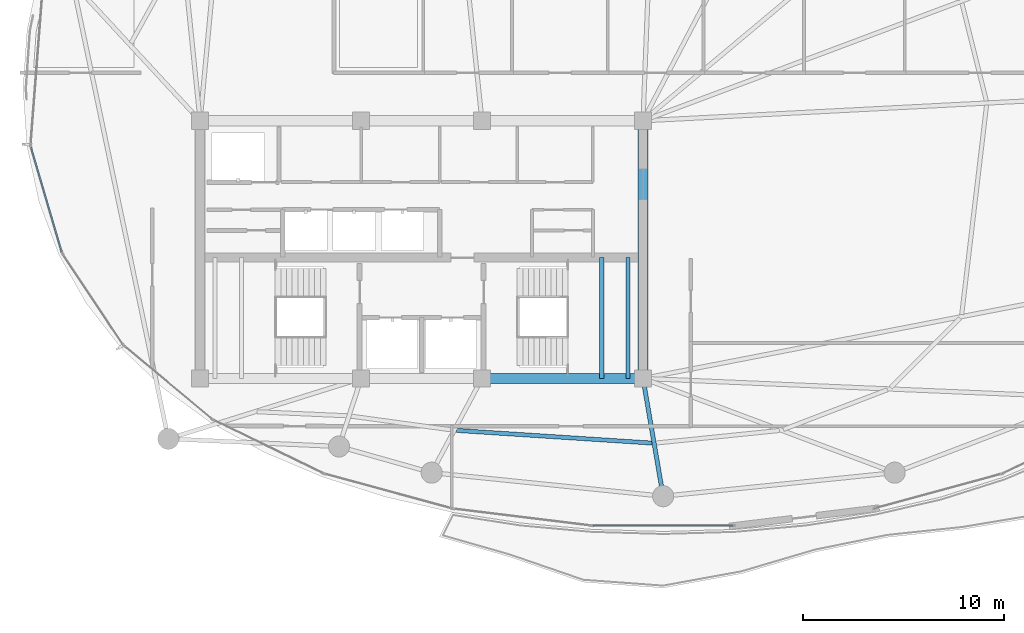
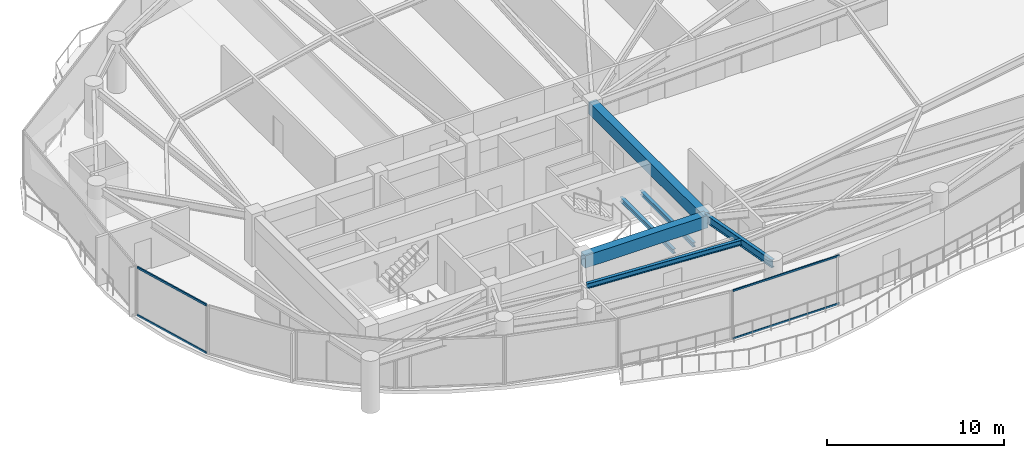
# One storey, part 7 of 30: 6 beams, 4 members, 2 elements without a shape of their own.
"""IFC4 building model written with IfcOpenShell, lengths in metres."""

from ifc_helpers import new_model, si_unit, direction, frame, origin, origin_2d, place, context, subcontext, project, spatial, rectangle, hollow_rectangle, i_section, extrude, material, layer, layer_set, material_profile, profile_set, type_object, element, aggregate, save


model = new_model("IFC4")

# Units and contexts
model_context = context("Model", 3, precision=1e-05, world=origin(), true_north=direction((0.0, 1.0)))
body_context = subcontext(model_context, "Body", "Model", "MODEL_VIEW")
ifc_project = project(units=[si_unit("LENGTHUNIT", "METRE"), si_unit("AREAUNIT", "SQUARE_METRE"), si_unit("VOLUMEUNIT", "CUBIC_METRE"), si_unit("PLANEANGLEUNIT", "RADIAN"), si_unit("MASSUNIT", "GRAM", prefix="KILO")], contexts=[model_context])

# Site, building, storey
site_placement = place(None, origin())
site = spatial("IfcSite", under=ifc_project, at=site_placement, CompositionType="ELEMENT")
building_placement = place(site_placement, origin())
building = spatial("IfcBuilding", under=site, at=building_placement, Name="Kazevale Care Tower and Concert Hall", CompositionType="ELEMENT")
storey_placement = place(building_placement, frame((0.0, 0.0, 242.39990234375)))
storey = spatial("IfcBuildingStorey", under=building, at=storey_placement, Name="L64", CompositionType="ELEMENT", Elevation=242.39990234375)

# Curtain wall, members
ifc_material_1 = material(Name="Aluminium 6063-T6 and Low-E Glass", Category="aluminium")
ifc_layer_1 = layer(ifc_material_1, 0.179931640625)
ifc_layer_set_1 = layer_set([ifc_layer_1], Name="Aluminium 6063-T6 and Low-E Glass")
curtain_wall_type_1 = type_object("IfcCurtainWallType", Name="Waist & Upper Residential Curtain Wall CW-4", PredefinedType="NOTDEFINED", material=ifc_layer_set_1)
curtain_wall_1_placement = place(storey_placement, origin())
curtain_wall_1 = element("IfcCurtainWall", 1, at=curtain_wall_1_placement, inside=storey, type_object=curtain_wall_type_1, Name="cw:L64:f12", PredefinedType="NOTDEFINED")
ifc_material_2 = material(Name="Aluminium 6063-T6", Category="aluminium")
ifc_material_profile_1 = material_profile(ifc_material_2, hollow_rectangle(XDim=0.080078125, YDim=0.139892578125, WallThickness=0.00390625, at=origin_2d()), Name="ALU80x140x4")
ifc_profile_set_1 = profile_set([ifc_material_profile_1], Name="Aluminium 6063-T6")
member_type_1 = type_object("IfcMemberType", Name="CW-4 Transom ALU80x140x4", PredefinedType="USERDEFINED", material=ifc_profile_set_1)
member_1_placement = place(storey_placement, frame((15.12548828125, 29.897705078125, 0.0400390625), z_axis=(-0.282102705943, 0.95938421047, 0.0), x_axis=(-0.95938421047, -0.282102705943, 0.0)))
member_1 = element("IfcMember", 2, at=member_1_placement, type_object=member_type_1, Name="CW-4 transom 1.1", ObjectType="TRANSOM", PredefinedType="USERDEFINED", context=body_context, shape_type="SweptSolid", body=[
    extrude(hollow_rectangle(XDim=0.080078125, YDim=0.139892578125, WallThickness=0.00390625, at=origin_2d()), origin(), (0.0, 0.0, 1.0), 5.402099609375),
])
member_2_placement = place(storey_placement, frame((15.12548828125, 29.897705078125, 3.320068359375), z_axis=(-0.282102705943, 0.95938421047, 0.0), x_axis=(-0.95938421047, -0.282102705943, 0.0)))
member_2 = element("IfcMember", 3, at=member_2_placement, type_object=member_type_1, Name="CW-4 transom 1.2", ObjectType="TRANSOM", PredefinedType="USERDEFINED", context=body_context, shape_type="SweptSolid", body=[
    extrude(hollow_rectangle(XDim=0.080078125, YDim=0.139892578125, WallThickness=0.00390625, at=origin_2d()), origin(), (0.0, 0.0, 1.0), 5.402099609375),
])
aggregate(curtain_wall_1, [member_1, member_2])

ifc_layer_2 = layer(ifc_material_1, 0.179931640625)
ifc_layer_set_2 = layer_set([ifc_layer_2], Name="Aluminium 6063-T6 and Low-E Glass")
curtain_wall_type_2 = type_object("IfcCurtainWallType", Name="Sheltered Concave Balcony Curtain Wall CW-5", PredefinedType="NOTDEFINED", material=ifc_layer_set_2)
curtain_wall_2_placement = place(storey_placement, origin())
curtain_wall_2 = element("IfcCurtainWall", 4, at=curtain_wall_2_placement, inside=storey, type_object=curtain_wall_type_2, Name="cw:L64:f06", PredefinedType="NOTDEFINED")
ifc_material_profile_2 = material_profile(ifc_material_2, hollow_rectangle(XDim=0.074951171875, YDim=0.1201171875, WallThickness=0.00390625, at=origin_2d()), Name="ALU75x120x4")
ifc_profile_set_2 = profile_set([ifc_material_profile_2], Name="Aluminium 6063-T6")
member_type_2 = type_object("IfcMemberType", Name="CW-5 Transom ALU75x120x4", PredefinedType="USERDEFINED", material=ifc_profile_set_2)
member_3_placement = place(storey_placement, frame((48.47509765625, 16.284912109375, 0.03759765625), z_axis=(-1.0, 0.0, 0.0), x_axis=(0.0, -1.0, 0.0)))
member_3 = element("IfcMember", 5, at=member_3_placement, type_object=member_type_2, Name="CW-5 transom 1.1", ObjectType="TRANSOM", PredefinedType="USERDEFINED", context=body_context, shape_type="SweptSolid", body=[
    extrude(hollow_rectangle(XDim=0.074951171875, YDim=0.1201171875, WallThickness=0.00390625, at=origin_2d()), origin(), (0.0, 0.0, 1.0), 6.9501953125),
])
member_4_placement = place(storey_placement, frame((48.47509765625, 16.284912109375, 3.322509765625), z_axis=(-1.0, 0.0, 0.0), x_axis=(0.0, -1.0, 0.0)))
member_4 = element("IfcMember", 6, at=member_4_placement, type_object=member_type_2, Name="CW-5 transom 1.2", ObjectType="TRANSOM", PredefinedType="USERDEFINED", context=body_context, shape_type="SweptSolid", body=[
    extrude(hollow_rectangle(XDim=0.074951171875, YDim=0.1201171875, WallThickness=0.00390625, at=origin_2d()), origin(), (0.0, 0.0, 1.0), 6.9501953125),
])
aggregate(curtain_wall_2, [member_3, member_4])

# Beams
ifc_material_3 = material(Name="Concrete C60", Category="concrete")
ifc_material_profile_3 = material_profile(ifc_material_3, rectangle(XDim=0.5, YDim=0.85009765625, at=origin_2d()), Name="RC-B500x850")
ifc_profile_set_3 = profile_set([ifc_material_profile_3], Name="Concrete C60")
beam_type_1 = type_object("IfcBeamType", Name="Core Coupling Beam RC500x850", PredefinedType="LINTEL", material=ifc_profile_set_3)
beam_1_placement = place(storey_placement, frame((36.0, 23.60009765625, 2.93505859375), z_axis=(1.0, 0.0, 0.0), x_axis=(0.0, 1.0, 0.0)))
element("IfcBeam", 7, at=beam_1_placement, inside=storey, type_object=beam_type_1, Name="beam:L64:coretie:3", PredefinedType="LINTEL", context=body_context, shape_type="SweptSolid", body=[
    extrude(rectangle(XDim=0.5, YDim=0.85009765625, at=origin_2d()), origin(), (0.0, 0.0, 1.0), 8.0),
])
beam_2_placement = place(storey_placement, frame((44.0, 23.60009765625, 2.93505859375), z_axis=(0.0, 1.0, 0.0), x_axis=(-1.0, 0.0, 0.0)))
element("IfcBeam", 8, at=beam_2_placement, inside=storey, type_object=beam_type_1, Name="beam:L64:coretie:4", PredefinedType="LINTEL", context=body_context, shape_type="SweptSolid", body=[
    extrude(rectangle(XDim=0.5, YDim=0.85009765625, at=origin_2d()), origin(), (0.0, 0.0, 1.0), 12.7998046875),
])
ifc_material_4 = material(Name="Steel ASTM A572 Gr 50", Category="steel")
ifc_material_profile_4 = material_profile(ifc_material_4, i_section(OverallWidth=0.2119140625, OverallDepth=0.5439453125, WebThickness=0.01318359375, FlangeThickness=0.021240234375, at=origin_2d()), Name="W530x123")
ifc_profile_set_4 = profile_set([ifc_material_profile_4], Name="Steel ASTM A572 Gr 50")
beam_type_2 = type_object("IfcBeamType", Name="Radial Floor Girder W530x123", PredefinedType="BEAM", material=ifc_profile_set_4)
beam_3_placement = place(storey_placement, frame((44.0, 23.60009765625, 3.088134765625), z_axis=(0.168493389607, -0.985702783631, 0.0), x_axis=(0.985702783631, 0.168493389607, 0.0)))
element("IfcBeam", 9, at=beam_3_placement, inside=storey, type_object=beam_type_2, Name="beam:L64:rad:13", PredefinedType="BEAM", context=body_context, shape_type="SweptSolid", body=[
    extrude(i_section(OverallWidth=0.2119140625, OverallDepth=0.5439453125, WebThickness=0.01318359375, FlangeThickness=0.021240234375, at=origin_2d()), origin(), (0.0, 0.0, 1.0), 5.93505859375),
])
ifc_material_profile_5 = material_profile(ifc_material_4, i_section(OverallWidth=0.205078125, OverallDepth=0.35400390625, WebThickness=0.009521484375, FlangeThickness=0.016845703125, at=origin_2d()), Name="W360x79")
ifc_profile_set_5 = profile_set([ifc_material_profile_5], Name="Steel ASTM A572 Gr 50")
beam_type_3 = type_object("IfcBeamType", Name="Secondary Floor Joist W360x79", PredefinedType="JOIST", material=ifc_profile_set_5)
beam_4_placement = place(storey_placement, frame((34.72998046875, 21.01904296875, 3.18310546875), z_axis=(0.997903161374, -0.064724651559, 0.0), x_axis=(0.064724651559, 0.997903161374, 0.0)))
element("IfcBeam", 10, at=beam_4_placement, inside=storey, type_object=beam_type_3, Name="beam:L64:joist:12", PredefinedType="JOIST", context=body_context, shape_type="SweptSolid", body=[
    extrude(i_section(OverallWidth=0.205078125, OverallDepth=0.35400390625, WebThickness=0.009521484375, FlangeThickness=0.016845703125, at=origin_2d()), origin(), (0.0, 0.0, 1.0), 9.735595703125),
])
ifc_material_profile_6 = material_profile(ifc_material_4, i_section(OverallWidth=0.202880859375, OverallDepth=0.302978515625, WebThickness=0.007568359375, FlangeThickness=0.01318359375, at=origin_2d()), Name="W310x60")
ifc_profile_set_6 = profile_set([ifc_material_profile_6], Name="Steel ASTM A572 Gr 50")
beam_type_4 = type_object("IfcBeamType", Name="Stair & Balcony Trimmer W310x60", PredefinedType="BEAM", material=ifc_profile_set_6)
for number, where, z_axis, x_axis, name in (
    (11, (41.949951171875, 23.60009765625, 1.448486328125), (0.0, 1.0, 0.0), (-1.0, 0.0, 0.0), "beam:L64:sttrim:ST2"),
    (12, (43.25, 23.60009765625, 1.448486328125), (0.0, 1.0, 0.0), (-1.0, 0.0, 0.0), "beam:L64:sttrim:ST2b"),
):
    element("IfcBeam", number, at=place(storey_placement, frame(where, z_axis=z_axis, x_axis=x_axis)), inside=storey, type_object=beam_type_4, Name=name, PredefinedType="BEAM", context=body_context, shape_type="SweptSolid", body=[
        extrude(i_section(OverallWidth=0.202880859375, OverallDepth=0.302978515625, WebThickness=0.007568359375, FlangeThickness=0.01318359375, at=origin_2d()), origin(), (0.0, 0.0, 1.0), 6.0),
    ])

save(model, "model.ifc")
